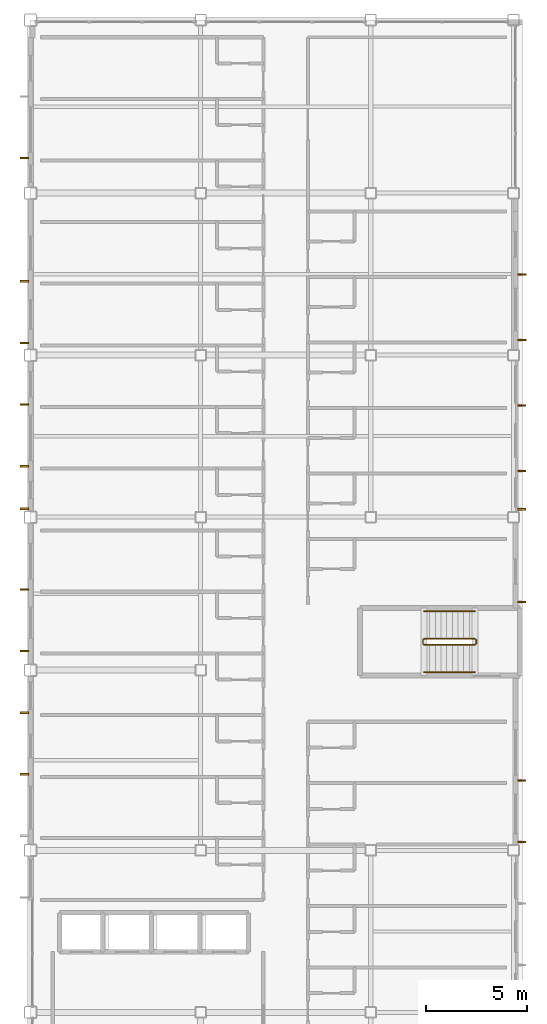
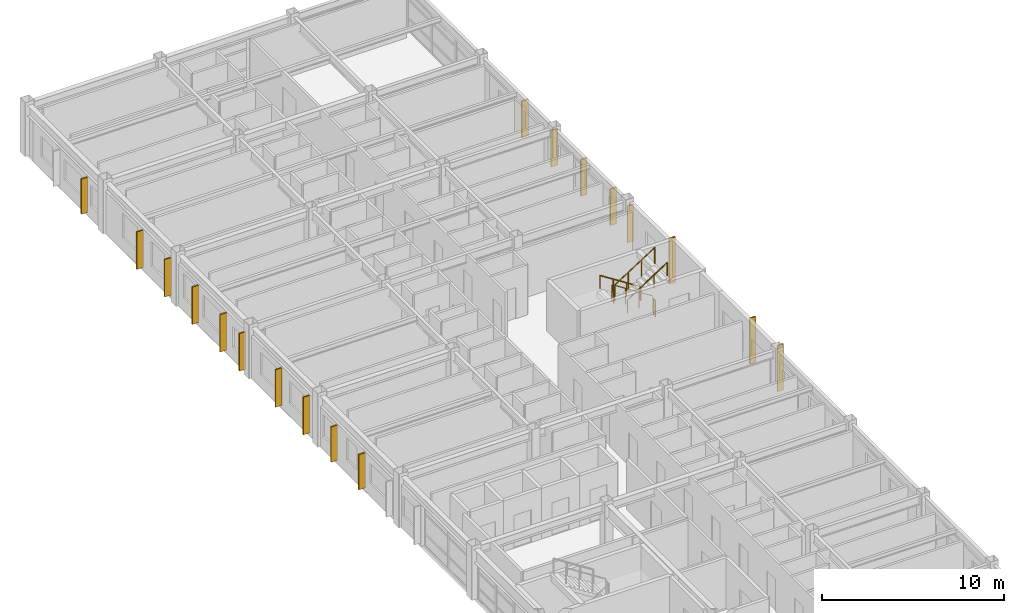
# One storey, part 37 of 38: 12 coverings, 6 railings, 6 shading devices.
"""IFC4 building model written with IfcOpenShell, lengths in metres."""

from ifc_helpers import new_model, si_unit, direction, frame, origin, origin_2d, place, context, subcontext, project, spatial, rectangle, circle, extrude, material, layer, layer_set, type_object, element, save


model = new_model("IFC4")

# Units and contexts
model_context = context("Model", 3, precision=1e-05, world=origin(), true_north=direction((0.0, 1.0)))
body_context = subcontext(model_context, "Body", "Model", "MODEL_VIEW")
ifc_project = project(units=[si_unit("LENGTHUNIT", "METRE"), si_unit("AREAUNIT", "SQUARE_METRE"), si_unit("VOLUMEUNIT", "CUBIC_METRE"), si_unit("PLANEANGLEUNIT", "RADIAN"), si_unit("MASSUNIT", "GRAM", prefix="KILO")], contexts=[model_context])

# Site, building, storey
site_placement = place(None, origin())
site = spatial("IfcSite", under=ifc_project, at=site_placement, CompositionType="ELEMENT")
building_placement = place(site_placement, origin())
building = spatial("IfcBuilding", under=site, at=building_placement, Name="Kazehara Bluff Congress Hotel", CompositionType="ELEMENT")
storey_placement = place(building_placement, frame((0.0, 0.0, 24.60009765625)))
storey = spatial("IfcBuildingStorey", under=building, at=storey_placement, Name="L05", CompositionType="ELEMENT", Elevation=24.60009765625)

# Coverings
ifc_material_1 = material(Name="Anodised aluminium architectural brise-soleil", Category="aluminium")
ifc_layer_1 = layer(ifc_material_1, 0.090087890625)
ifc_layer_set_1 = layer_set([ifc_layer_1], Name="Anodised aluminium architectural brise-soleil")
covering_type = type_object("IfcCoveringType", Name="TP-FFN-02", PredefinedType="CLADDING", material=ifc_layer_set_1)
for number, where, z_axis, x_axis, name in (
    (1, (167.9599609375, 89.655029296875, 0.202392578125), (0.0, 0.0, 1.0), (1.0, 0.0, 0.0), "L05 architectural vertical fin 25"),
    (2, (167.9599609375, 92.885009765625, 0.202392578125), (0.0, 0.0, 1.0), (1.0, 0.0, 0.0), "L05 architectural vertical fin 26"),
):
    element("IfcCovering", number, at=place(storey_placement, frame(where, z_axis=z_axis, x_axis=x_axis)), inside=storey, type_object=covering_type, Name=name, PredefinedType="CLADDING", context=body_context, shape_type="SweptSolid", body=[
        extrude(rectangle(XDim=0.419921875, YDim=0.090087890625, at=origin_2d()), origin(), (0.0, 0.0, 1.0), 2.455078125),
    ])
for number, where, z_axis, x_axis, name in (
    (3, (143.389892578125, 68.205078125, 0.202392578125), (0.0, 0.0, 1.0), (1.0, 0.0, 0.0), "L05 architectural vertical fin 40"),
    (4, (143.389892578125, 71.25, 0.202392578125), (0.0, 0.0, 1.0), (1.0, 0.0, 0.0), "L05 architectural vertical fin 41"),
):
    element("IfcCovering", number, at=place(storey_placement, frame(where, z_axis=z_axis, x_axis=x_axis)), inside=storey, type_object=covering_type, Name=name, PredefinedType="CLADDING", context=body_context, shape_type="SweptSolid", body=[
        extrude(rectangle(XDim=0.419921875, YDim=0.090087890625, at=origin_2d()), origin(), (0.0, 0.0, 1.0), 2.35498046875),
    ])
for number, where, z_axis, x_axis, name in (
    (5, (143.389892578125, 74.2900390625, 0.197509765625), (0.0, 0.0, 1.0), (1.0, 0.0, 0.0), "L05 architectural vertical fin 42"),
    (6, (143.389892578125, 77.3349609375, 0.197509765625), (0.0, 0.0, 1.0), (1.0, 0.0, 0.0), "L05 architectural vertical fin 43"),
    (7, (143.389892578125, 81.320068359375, 0.197509765625), (0.0, 0.0, 1.0), (1.0, 0.0, 0.0), "L05 architectural vertical fin 44"),
    (8, (143.389892578125, 83.419921875, 0.197509765625), (0.0, 0.0, 1.0), (1.0, 0.0, 0.0), "L05 architectural vertical fin 45"),
    (9, (143.389892578125, 86.465087890625, 0.197509765625), (0.0, 0.0, 1.0), (1.0, 0.0, 0.0), "L05 architectural vertical fin 46"),
    (10, (143.389892578125, 89.5048828125, 0.197509765625), (0.0, 0.0, 1.0), (1.0, 0.0, 0.0), "L05 architectural vertical fin 47"),
    (11, (143.389892578125, 92.550048828125, 0.197509765625), (0.0, 0.0, 1.0), (1.0, 0.0, 0.0), "L05 architectural vertical fin 48"),
):
    element("IfcCovering", number, at=place(storey_placement, frame(where, z_axis=z_axis, x_axis=x_axis)), inside=storey, type_object=covering_type, Name=name, PredefinedType="CLADDING", context=body_context, shape_type="SweptSolid", body=[
        extrude(rectangle(XDim=0.419921875, YDim=0.090087890625, at=origin_2d()), origin(), (0.0, 0.0, 1.0), 2.5048828125),
    ])
covering_placement = place(storey_placement, frame((143.389892578125, 98.635009765625, 0.202392578125), z_axis=(0.0, 0.0, 1.0), x_axis=(1.0, 0.0, 0.0)))
element("IfcCovering", 12, at=covering_placement, inside=storey, type_object=covering_type, Name="L05 architectural vertical fin 49", PredefinedType="CLADDING", context=body_context, shape_type="SweptSolid", body=[
    extrude(rectangle(XDim=0.419921875, YDim=0.090087890625, at=origin_2d()), origin(), (0.0, 0.0, 1.0), 2.35498046875),
])

# Railings
ifc_material_2 = material(Name="Brushed stainless steel", Category="steel")
railing_type_1 = type_object("IfcRailingType", Name="TP-GRD-INT", PredefinedType="GUARDRAIL", material=ifc_material_2)
railing_1_placement = place(storey_placement, frame((165.64990234375, 74.89990234375, 0.179931640625)))
element("IfcRailing", 13, at=railing_1_placement, inside=storey, type_object=railing_type_1, Name="L05 ST-12 stair guard 1", PredefinedType="GUARDRAIL", context=body_context, shape_type="SweptSolid", body=[
    extrude(circle(Radius=0.02392578125, at=origin_2d()), frame((0.0, 0.0, 1.076171875), z_axis=(-0.841199657755, 0.0, 0.540724639528), x_axis=(0.0, -1.0, 0.0)), (0.0, 0.0, 1.0), 2.995849609375),
    extrude(circle(Radius=0.02099609375, at=origin_2d()), origin(), (0.0, 0.0, 1.0), 1.052001953125),
    extrude(circle(Radius=0.02099609375, at=origin_2d()), frame((-0.840087890625, 0.0, 0.5400390625)), (0.0, 0.0, 1.0), 1.052001953125),
    extrude(circle(Radius=0.02099609375, at=origin_2d()), frame((-1.679931640625, 0.0, 1.079833984375)), (0.0, 0.0, 1.0), 1.052001953125),
    extrude(circle(Radius=0.02099609375, at=origin_2d()), frame((-2.52001953125, 0.0, 1.619873046875)), (0.0, 0.0, 1.0), 1.052001953125),
])
railing_2_placement = place(storey_placement, frame((163.080078125, 74.85009765625, 1.7998046875)))
element("IfcRailing", 14, at=railing_2_placement, inside=storey, type_object=railing_type_1, Name="L05 ST-12 stair guard 2", PredefinedType="GUARDRAIL", context=body_context, shape_type="SweptSolid", body=[
    extrude(circle(Radius=0.02392578125, at=origin_2d()), frame((0.0, 0.0, 1.076171875), z_axis=(0.0, -1.0, 0.0), x_axis=(1.0, 0.0, 0.0)), (0.0, 0.0, 1.0), 0.2001953125),
    extrude(circle(Radius=0.02099609375, at=origin_2d()), origin(), (0.0, 0.0, 1.0), 1.052001953125),
    extrude(circle(Radius=0.02099609375, at=origin_2d()), frame((0.0, -0.2001953125, 0.0)), (0.0, 0.0, 1.0), 1.052001953125),
])
railing_3_placement = place(storey_placement, frame((163.1298828125, 74.60009765625, 1.97998046875)))
element("IfcRailing", 15, at=railing_3_placement, inside=storey, type_object=railing_type_1, Name="L05 ST-12 stair guard 3", PredefinedType="GUARDRAIL", context=body_context, shape_type="SweptSolid", body=[
    extrude(circle(Radius=0.02392578125, at=origin_2d()), frame((0.0, 0.0, 1.076171875), z_axis=(0.841199657755, 0.0, 0.540724639528), x_axis=(0.0, 1.0, 0.0)), (0.0, 0.0, 1.0), 2.995849609375),
    extrude(circle(Radius=0.02099609375, at=origin_2d()), origin(), (0.0, 0.0, 1.0), 1.052001953125),
    extrude(circle(Radius=0.02099609375, at=origin_2d()), frame((0.840087890625, 0.0, 0.5400390625)), (0.0, 0.0, 1.0), 1.052001953125),
    extrude(circle(Radius=0.02099609375, at=origin_2d()), frame((1.679931640625, 0.0, 1.079833984375)), (0.0, 0.0, 1.0), 1.052001953125),
    extrude(circle(Radius=0.02099609375, at=origin_2d()), frame((2.52001953125, 0.0, 1.619873046875)), (0.0, 0.0, 1.0), 1.052001953125),
])
railing_4_placement = place(storey_placement, frame((165.699951171875, 74.85009765625, 0.0)))
element("IfcRailing", 16, at=railing_4_placement, inside=storey, type_object=railing_type_1, Name="L05 ST-12 stair guard 4", PredefinedType="GUARDRAIL", context=body_context, shape_type="SweptSolid", body=[
    extrude(circle(Radius=0.02392578125, at=origin_2d()), frame((0.0, 0.0, 1.076171875), z_axis=(0.0, -1.0, 0.0), x_axis=(1.0, 0.0, 0.0)), (0.0, 0.0, 1.0), 0.2001953125),
    extrude(circle(Radius=0.02099609375, at=origin_2d()), origin(), (0.0, 0.0, 1.0), 1.052001953125),
    extrude(circle(Radius=0.02099609375, at=origin_2d()), frame((0.0, -0.2001953125, 0.0)), (0.0, 0.0, 1.0), 1.052001953125),
])
ifc_material_3 = material(Name="Brushed stainless steel", Category="steel")
railing_type_2 = type_object("IfcRailingType", Name="TP-HR-INT", PredefinedType="HANDRAIL", material=ifc_material_3)
railing_5_placement = place(storey_placement, frame((165.64990234375, 76.25, 0.179931640625)))
element("IfcRailing", 17, at=railing_5_placement, inside=storey, type_object=railing_type_2, Name="L05 ST-12 stair handrail 1", PredefinedType="HANDRAIL", context=body_context, shape_type="SweptSolid", body=[
    extrude(circle(Radius=0.02392578125, at=origin_2d()), frame((0.0, 0.0, 0.8759765625), z_axis=(-0.841199657755, 0.0, 0.540724639528), x_axis=(0.0, -1.0, 0.0)), (0.0, 0.0, 1.0), 2.995849609375),
    extrude(circle(Radius=0.02099609375, at=origin_2d()), origin(), (0.0, 0.0, 1.0), 0.851806640625),
    extrude(circle(Radius=0.02099609375, at=origin_2d()), frame((-0.840087890625, 0.0, 0.5400390625)), (0.0, 0.0, 1.0), 0.851806640625),
    extrude(circle(Radius=0.02099609375, at=origin_2d()), frame((-1.679931640625, 0.0, 1.079833984375)), (0.0, 0.0, 1.0), 0.851806640625),
    extrude(circle(Radius=0.02099609375, at=origin_2d()), frame((-2.52001953125, 0.0, 1.619873046875)), (0.0, 0.0, 1.0), 0.851806640625),
])
railing_6_placement = place(storey_placement, frame((163.1298828125, 73.25, 1.97998046875)))
element("IfcRailing", 18, at=railing_6_placement, inside=storey, type_object=railing_type_2, Name="L05 ST-12 stair handrail 2", PredefinedType="HANDRAIL", context=body_context, shape_type="SweptSolid", body=[
    extrude(circle(Radius=0.02392578125, at=origin_2d()), frame((0.0, 0.0, 0.8759765625), z_axis=(0.841199657755, 0.0, 0.540724639528), x_axis=(0.0, 1.0, 0.0)), (0.0, 0.0, 1.0), 2.995849609375),
    extrude(circle(Radius=0.02099609375, at=origin_2d()), origin(), (0.0, 0.0, 1.0), 0.851806640625),
    extrude(circle(Radius=0.02099609375, at=origin_2d()), frame((0.840087890625, 0.0, 0.5400390625)), (0.0, 0.0, 1.0), 0.851806640625),
    extrude(circle(Radius=0.02099609375, at=origin_2d()), frame((1.679931640625, 0.0, 1.079833984375)), (0.0, 0.0, 1.0), 0.851806640625),
    extrude(circle(Radius=0.02099609375, at=origin_2d()), frame((2.52001953125, 0.0, 1.619873046875)), (0.0, 0.0, 1.0), 0.851806640625),
])

# Shading devices
ifc_material_4 = material(Name="Anodised aluminium", Category="aluminium")
ifc_layer_2 = layer(ifc_material_4, 0.080078125)
ifc_layer_set_2 = layer_set([ifc_layer_2], Name="Anodised aluminium")
shading_device_type = type_object("IfcShadingDeviceType", Name="TP-SHD-FIN", PredefinedType="USERDEFINED", material=ifc_layer_set_2)
for number, where, z_axis, x_axis, name in (
    (19, (167.9599609375, 64.860107421875, 0.197509765625), (0.0, 0.0, 1.0), (1.0, 0.0, 0.0), "L05 solar shading fin 19"),
    (20, (167.9599609375, 67.889892578125, 0.197509765625), (0.0, 0.0, 1.0), (1.0, 0.0, 0.0), "L05 solar shading fin 20"),
    (21, (167.9599609375, 76.719970703125, 0.197509765625), (0.0, 0.0, 1.0), (1.0, 0.0, 0.0), "L05 solar shading fin 21"),
):
    element("IfcShadingDevice", number, at=place(storey_placement, frame(where, z_axis=z_axis, x_axis=x_axis)), inside=storey, type_object=shading_device_type, Name=name, ObjectType="FIN", PredefinedType="USERDEFINED", context=body_context, shape_type="SweptSolid", body=[
        extrude(rectangle(XDim=0.3798828125, YDim=0.080078125, at=origin_2d()), origin(), (0.0, 0.0, 1.0), 3.06494140625),
    ])
for number, where, z_axis, x_axis, name in (
    (22, (167.9599609375, 81.294921875, 0.202392578125), (0.0, 0.0, 1.0), (1.0, 0.0, 0.0), "L05 solar shading fin 22"),
    (23, (167.9599609375, 83.18505859375, 0.202392578125), (0.0, 0.0, 1.0), (1.0, 0.0, 0.0), "L05 solar shading fin 23"),
    (24, (167.9599609375, 86.419921875, 0.202392578125), (0.0, 0.0, 1.0), (1.0, 0.0, 0.0), "L05 solar shading fin 24"),
):
    element("IfcShadingDevice", number, at=place(storey_placement, frame(where, z_axis=z_axis, x_axis=x_axis)), inside=storey, type_object=shading_device_type, Name=name, ObjectType="FIN", PredefinedType="USERDEFINED", context=body_context, shape_type="SweptSolid", body=[
        extrude(rectangle(XDim=0.3798828125, YDim=0.080078125, at=origin_2d()), origin(), (0.0, 0.0, 1.0), 2.455078125),
    ])

save(model, "model.ifc")
